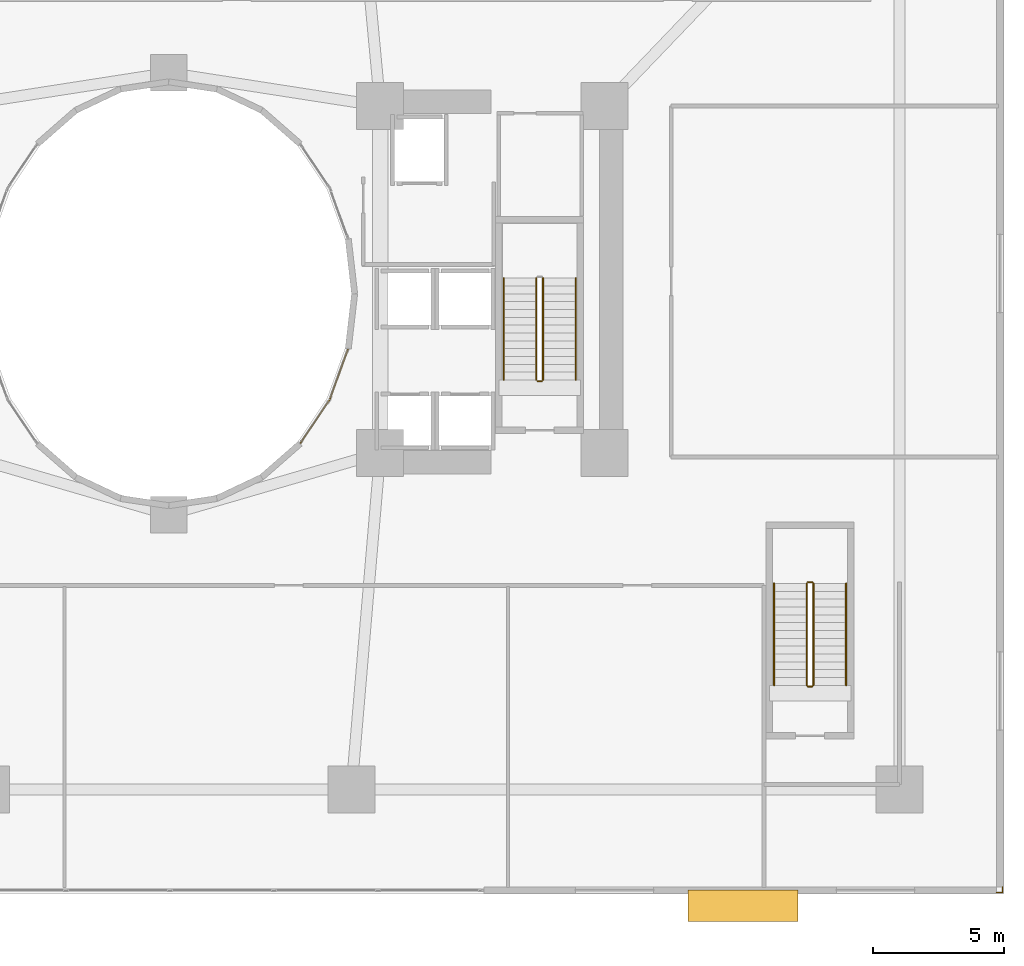
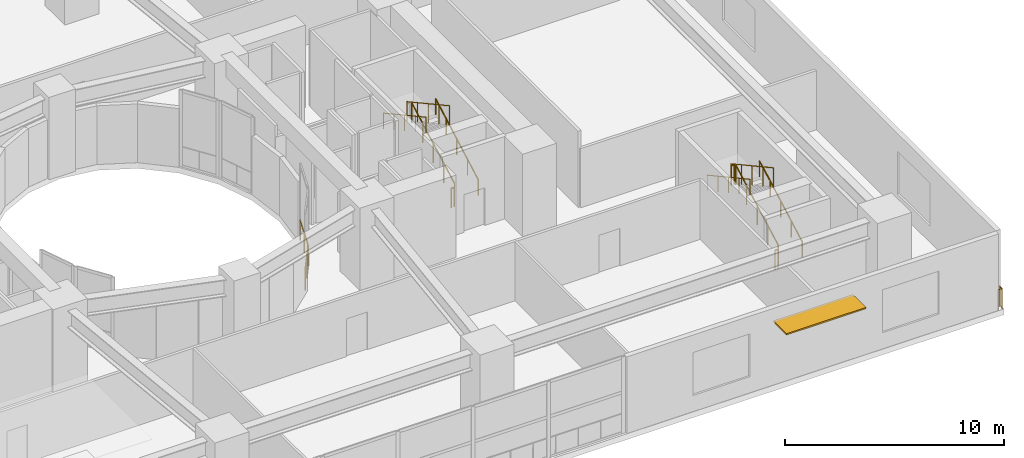
# One storey, part 22 of 25: 14 railings, 1 shading device.
"""IFC4 building model written with IfcOpenShell, lengths in metres."""

from ifc_helpers import new_model, si_unit, direction, frame, origin, origin_2d, place, context, subcontext, project, spatial, rectangle, circle, extrude, material, layer, layer_set, type_object, element, save


model = new_model("IFC4")

# Units and contexts
model_context = context("Model", 3, precision=1e-05, world=origin(), true_north=direction((0.0, 1.0)))
body_context = subcontext(model_context, "Body", "Model", "MODEL_VIEW")
ifc_project = project(units=[si_unit("LENGTHUNIT", "METRE"), si_unit("AREAUNIT", "SQUARE_METRE"), si_unit("VOLUMEUNIT", "CUBIC_METRE"), si_unit("PLANEANGLEUNIT", "RADIAN"), si_unit("MASSUNIT", "GRAM", prefix="KILO")], contexts=[model_context])

# Site, building, storey
site_placement = place(None, origin())
site = spatial("IfcSite", under=ifc_project, at=site_placement, CompositionType="ELEMENT")
building_placement = place(site_placement, origin())
building = spatial("IfcBuilding", under=site, at=building_placement, Name="Solvane Sanctuary Tower", CompositionType="ELEMENT")
storey_placement = place(building_placement, frame((0.0, 0.0, 13.800048828125)))
storey = spatial("IfcBuildingStorey", under=building, at=storey_placement, Name="L04", CompositionType="ELEMENT", Elevation=13.800048828125)

# Railings
ifc_material_1 = material(Name="Architectural Stainless Steel 316", Category="steel")
railing_type_1 = type_object("IfcRailingType", Name="Railing GR-BALC-1150", PredefinedType="BALUSTRADE", material=ifc_material_1)
railing_1_placement = place(storey_placement, frame((63.93994140625, 0.280029296875, 0.0)))
element("IfcRailing", 1, at=railing_1_placement, inside=storey, type_object=railing_type_1, Name="L04 Perimeter Slab Edge Guardrail 04", PredefinedType="BALUSTRADE", context=body_context, shape_type="SweptSolid", body=[
    extrude(circle(Radius=0.02392578125, at=origin_2d()), frame((0.0, 0.0, 1.1259765625), z_axis=(0.0, -1.0, 0.0), x_axis=(1.0, 0.0, 0.0)), (0.0, 0.0, 1.0), 0.219970703125),
    extrude(circle(Radius=0.02392578125, at=origin_2d()), frame((0.0, -0.219970703125, 1.1259765625), z_axis=(-1.0, 0.0, 0.0), x_axis=(0.0, -1.0, 0.0)), (0.0, 0.0, 1.0), 0.219970703125),
    extrude(circle(Radius=0.02099609375, at=origin_2d()), origin(), (0.0, 0.0, 1.0), 1.101806640625),
    extrude(circle(Radius=0.02099609375, at=origin_2d()), frame((0.0, -0.219970703125, 0.0)), (0.0, 0.0, 1.0), 1.101806640625),
    extrude(circle(Radius=0.02099609375, at=origin_2d()), frame((-0.219970703125, -0.219970703125, 0.0)), (0.0, 0.0, 1.0), 1.101806640625),
])
railing_2_placement = place(storey_placement, frame((46.340087890625, 19.699951171875, 0.164306640625)))
element("IfcRailing", 2, at=railing_2_placement, inside=storey, type_object=railing_type_1, Name="L04 ST-2 stair guard 1", PredefinedType="BALUSTRADE", context=body_context, shape_type="SweptSolid", body=[
    extrude(circle(Radius=0.02392578125, at=origin_2d()), frame((0.0, 0.0, 1.076171875), z_axis=(0.0, 0.877101224295, 0.480305571839), x_axis=(-1.0, 0.0, 0.0)), (0.0, 0.0, 1.0), 4.446533203125),
    extrude(circle(Radius=0.02099609375, at=origin_2d()), origin(), (0.0, 0.0, 1.0), 1.052001953125),
    extrude(circle(Radius=0.02099609375, at=origin_2d()), frame((0.0, 0.97509765625, 0.533935546875)), (0.0, 0.0, 1.0), 1.052001953125),
    extrude(circle(Radius=0.02099609375, at=origin_2d()), frame((0.0, 1.9501953125, 1.06787109375)), (0.0, 0.0, 1.0), 1.052001953125),
    extrude(circle(Radius=0.02099609375, at=origin_2d()), frame((0.0, 2.925048828125, 1.601806640625)), (0.0, 0.0, 1.0), 1.052001953125),
    extrude(circle(Radius=0.02099609375, at=origin_2d()), frame((0.0, 3.900146484375, 2.1357421875)), (0.0, 0.0, 1.0), 1.052001953125),
])
railing_3_placement = place(storey_placement, frame((46.080078125, 23.60009765625, 2.46435546875)))
element("IfcRailing", 3, at=railing_3_placement, inside=storey, type_object=railing_type_1, Name="L04 ST-2 stair guard 3", PredefinedType="BALUSTRADE", context=body_context, shape_type="SweptSolid", body=[
    extrude(circle(Radius=0.02392578125, at=origin_2d()), frame((0.0, 0.0, 1.076171875), z_axis=(0.0, -0.877124353918, 0.480263331688), x_axis=(1.0, 0.0, 0.0)), (0.0, 0.0, 1.0), 4.446533203125),
    extrude(circle(Radius=0.02099609375, at=origin_2d()), origin(), (0.0, 0.0, 1.0), 1.052001953125),
    extrude(circle(Radius=0.02099609375, at=origin_2d()), frame((0.0, -0.97509765625, 0.533935546875)), (0.0, 0.0, 1.0), 1.052001953125),
    extrude(circle(Radius=0.02099609375, at=origin_2d()), frame((0.0, -1.9501953125, 1.06787109375)), (0.0, 0.0, 1.0), 1.052001953125),
    extrude(circle(Radius=0.02099609375, at=origin_2d()), frame((0.0, -2.925048828125, 1.6015625)), (0.0, 0.0, 1.0), 1.052001953125),
    extrude(circle(Radius=0.02099609375, at=origin_2d()), frame((0.0, -3.900146484375, 2.135498046875)), (0.0, 0.0, 1.0), 1.052001953125),
])
railing_4_placement = place(storey_placement, frame((46.2900390625, 19.64990234375, 0.0)))
element("IfcRailing", 4, at=railing_4_placement, inside=storey, type_object=railing_type_1, Name="L04 ST-2 stair guard 4", PredefinedType="BALUSTRADE", context=body_context, shape_type="SweptSolid", body=[
    extrude(circle(Radius=0.02392578125, at=origin_2d()), frame((0.0, 0.0, 1.076171875), z_axis=(-1.0, 0.0, 0.0), x_axis=(0.0, -1.0, 0.0)), (0.0, 0.0, 1.0), 0.16015625),
    extrude(circle(Radius=0.02099609375, at=origin_2d()), origin(), (0.0, 0.0, 1.0), 1.052001953125),
    extrude(circle(Radius=0.02099609375, at=origin_2d()), frame((-0.16015625, 0.0, 0.0)), (0.0, 0.0, 1.0), 1.052001953125),
])
railing_5_placement = place(storey_placement, frame((56.699951171875, 8.0, 0.164306640625)))
element("IfcRailing", 5, at=railing_5_placement, inside=storey, type_object=railing_type_1, Name="L04 ST-5 stair guard 1", PredefinedType="BALUSTRADE", context=body_context, shape_type="SweptSolid", body=[
    extrude(circle(Radius=0.02392578125, at=origin_2d()), frame((0.0, 0.0, 1.076171875), z_axis=(0.0, 0.877088557246, 0.480328702816), x_axis=(-1.0, 0.0, 0.0)), (0.0, 0.0, 1.0), 4.446533203125),
    extrude(circle(Radius=0.02099609375, at=origin_2d()), origin(), (0.0, 0.0, 1.0), 1.052001953125),
    extrude(circle(Radius=0.02099609375, at=origin_2d()), frame((0.0, 0.97509765625, 0.533935546875)), (0.0, 0.0, 1.0), 1.052001953125),
    extrude(circle(Radius=0.02099609375, at=origin_2d()), frame((0.0, 1.949951171875, 1.06787109375)), (0.0, 0.0, 1.0), 1.052001953125),
    extrude(circle(Radius=0.02099609375, at=origin_2d()), frame((0.0, 2.9248046875, 1.601806640625)), (0.0, 0.0, 1.0), 1.052001953125),
    extrude(circle(Radius=0.02099609375, at=origin_2d()), frame((0.0, 3.89990234375, 2.1357421875)), (0.0, 0.0, 1.0), 1.052001953125),
])
railing_6_placement = place(storey_placement, frame((56.64990234375, 11.949951171875, 2.300048828125)))
element("IfcRailing", 6, at=railing_6_placement, inside=storey, type_object=railing_type_1, Name="L04 ST-5 stair guard 2", PredefinedType="BALUSTRADE", context=body_context, shape_type="SweptSolid", body=[
    extrude(circle(Radius=0.02392578125, at=origin_2d()), frame((0.0, 0.0, 1.076171875), z_axis=(-1.0, 0.0, 0.0), x_axis=(0.0, -1.0, 0.0)), (0.0, 0.0, 1.0), 0.159912109375),
    extrude(circle(Radius=0.02099609375, at=origin_2d()), origin(), (0.0, 0.0, 1.0), 1.052001953125),
    extrude(circle(Radius=0.02099609375, at=origin_2d()), frame((-0.159912109375, 0.0, 0.0)), (0.0, 0.0, 1.0), 1.052001953125),
])
railing_7_placement = place(storey_placement, frame((56.43994140625, 11.89990234375, 2.46435546875)))
element("IfcRailing", 7, at=railing_7_placement, inside=storey, type_object=railing_type_1, Name="L04 ST-5 stair guard 3", PredefinedType="BALUSTRADE", context=body_context, shape_type="SweptSolid", body=[
    extrude(circle(Radius=0.02392578125, at=origin_2d()), frame((0.0, 0.0, 1.076171875), z_axis=(0.0, -0.877111688762, 0.480286461851), x_axis=(1.0, 0.0, 0.0)), (0.0, 0.0, 1.0), 4.4462890625),
    extrude(circle(Radius=0.02099609375, at=origin_2d()), origin(), (0.0, 0.0, 1.0), 1.052001953125),
    extrude(circle(Radius=0.02099609375, at=origin_2d()), frame((0.0, -0.97509765625, 0.533935546875)), (0.0, 0.0, 1.0), 1.052001953125),
    extrude(circle(Radius=0.02099609375, at=origin_2d()), frame((0.0, -1.949951171875, 1.06787109375)), (0.0, 0.0, 1.0), 1.052001953125),
    extrude(circle(Radius=0.02099609375, at=origin_2d()), frame((0.0, -2.9248046875, 1.6015625)), (0.0, 0.0, 1.0), 1.052001953125),
    extrude(circle(Radius=0.02099609375, at=origin_2d()), frame((0.0, -3.89990234375, 2.135498046875)), (0.0, 0.0, 1.0), 1.052001953125),
])
railing_8_placement = place(storey_placement, frame((56.64990234375, 7.949951171875, 0.0)))
element("IfcRailing", 8, at=railing_8_placement, inside=storey, type_object=railing_type_1, Name="L04 ST-5 stair guard 4", PredefinedType="BALUSTRADE", context=body_context, shape_type="SweptSolid", body=[
    extrude(circle(Radius=0.02392578125, at=origin_2d()), frame((0.0, 0.0, 1.076171875), z_axis=(-1.0, 0.0, 0.0), x_axis=(0.0, -1.0, 0.0)), (0.0, 0.0, 1.0), 0.159912109375),
    extrude(circle(Radius=0.02099609375, at=origin_2d()), origin(), (0.0, 0.0, 1.0), 1.052001953125),
    extrude(circle(Radius=0.02099609375, at=origin_2d()), frame((-0.159912109375, 0.0, 0.0)), (0.0, 0.0, 1.0), 1.052001953125),
])
railing_type_2 = type_object("IfcRailingType", Name="Railing GR-WELL-1150", PredefinedType="GUARDRAIL", material=ifc_material_1)
railing_9_placement = place(storey_placement, frame((37.056884765625, 17.29150390625, 0.0)))
element("IfcRailing", 9, at=railing_9_placement, inside=storey, type_object=railing_type_2, Name="L04 Light-Well Sill Guard 21", PredefinedType="GUARDRAIL", context=body_context, shape_type="SweptSolid", body=[
    extrude(circle(Radius=0.02392578125, at=origin_2d()), frame((0.0, 0.0, 1.1259765625), z_axis=(0.558283423748, 0.829650299083, 0.0), x_axis=(-0.829650299083, 0.558283423748, 0.0)), (0.0, 0.0, 1.0), 1.94677734375),
    extrude(circle(Radius=0.02099609375, at=origin_2d()), origin(), (0.0, 0.0, 1.0), 1.101806640625),
    extrude(circle(Radius=0.02099609375, at=origin_2d()), frame((0.54345703125, 0.8076171875, 0.0)), (0.0, 0.0, 1.0), 1.101806640625),
    extrude(circle(Radius=0.02099609375, at=origin_2d()), frame((1.0869140625, 1.615234375, 0.0)), (0.0, 0.0, 1.0), 1.101806640625),
])
railing_10_placement = place(storey_placement, frame((38.1796875, 18.9775390625, 0.0)))
element("IfcRailing", 10, at=railing_10_placement, inside=storey, type_object=railing_type_2, Name="L04 Light-Well Sill Guard 22", PredefinedType="GUARDRAIL", context=body_context, shape_type="SweptSolid", body=[
    extrude(circle(Radius=0.02392578125, at=origin_2d()), frame((0.0, 0.0, 1.1259765625), z_axis=(0.341410413021, 0.9399143205, 0.0), x_axis=(-0.9399143205, 0.341410413021, 0.0)), (0.0, 0.0, 1.0), 2.003662109375),
    extrude(circle(Radius=0.02099609375, at=origin_2d()), origin(), (0.0, 0.0, 1.0), 1.101806640625),
    extrude(circle(Radius=0.02099609375, at=origin_2d()), frame((0.342041015625, 0.941650390625, 0.0)), (0.0, 0.0, 1.0), 1.101806640625),
    extrude(circle(Radius=0.02099609375, at=origin_2d()), frame((0.68408203125, 1.88330078125, 0.0)), (0.0, 0.0, 1.0), 1.101806640625),
])
railing_type_3 = type_object("IfcRailingType", Name="Railing HR-STAIR-920", PredefinedType="HANDRAIL", material=ifc_material_1)
railing_11_placement = place(storey_placement, frame((47.590087890625, 19.699951171875, 0.164306640625)))
element("IfcRailing", 11, at=railing_11_placement, inside=storey, type_object=railing_type_3, Name="L04 ST-2 stair handrail 1", PredefinedType="HANDRAIL", context=body_context, shape_type="SweptSolid", body=[
    extrude(circle(Radius=0.02392578125, at=origin_2d()), frame((0.0, 0.0, 0.8759765625), z_axis=(0.0, 0.877101224295, 0.480305571839), x_axis=(-1.0, 0.0, 0.0)), (0.0, 0.0, 1.0), 4.446533203125),
    extrude(circle(Radius=0.02099609375, at=origin_2d()), origin(), (0.0, 0.0, 1.0), 0.851806640625),
    extrude(circle(Radius=0.02099609375, at=origin_2d()), frame((0.0, 0.97509765625, 0.533935546875)), (0.0, 0.0, 1.0), 0.851806640625),
    extrude(circle(Radius=0.02099609375, at=origin_2d()), frame((0.0, 1.9501953125, 1.06787109375)), (0.0, 0.0, 1.0), 0.851806640625),
    extrude(circle(Radius=0.02099609375, at=origin_2d()), frame((0.0, 2.925048828125, 1.601806640625)), (0.0, 0.0, 1.0), 0.851806640625),
    extrude(circle(Radius=0.02099609375, at=origin_2d()), frame((0.0, 3.900146484375, 2.1357421875)), (0.0, 0.0, 1.0), 0.851806640625),
])
railing_12_placement = place(storey_placement, frame((44.830078125, 23.60009765625, 2.46435546875)))
element("IfcRailing", 12, at=railing_12_placement, inside=storey, type_object=railing_type_3, Name="L04 ST-2 stair handrail 2", PredefinedType="HANDRAIL", context=body_context, shape_type="SweptSolid", body=[
    extrude(circle(Radius=0.02392578125, at=origin_2d()), frame((0.0, 0.0, 0.8759765625), z_axis=(0.0, -0.877124353918, 0.480263331688), x_axis=(1.0, 0.0, 0.0)), (0.0, 0.0, 1.0), 4.446533203125),
    extrude(circle(Radius=0.02099609375, at=origin_2d()), origin(), (0.0, 0.0, 1.0), 0.851806640625),
    extrude(circle(Radius=0.02099609375, at=origin_2d()), frame((0.0, -0.97509765625, 0.533935546875)), (0.0, 0.0, 1.0), 0.851806640625),
    extrude(circle(Radius=0.02099609375, at=origin_2d()), frame((0.0, -1.9501953125, 1.06787109375)), (0.0, 0.0, 1.0), 0.851806640625),
    extrude(circle(Radius=0.02099609375, at=origin_2d()), frame((0.0, -2.925048828125, 1.6015625)), (0.0, 0.0, 1.0), 0.851806640625),
    extrude(circle(Radius=0.02099609375, at=origin_2d()), frame((0.0, -3.900146484375, 2.135498046875)), (0.0, 0.0, 1.0), 0.851806640625),
])
railing_13_placement = place(storey_placement, frame((57.949951171875, 8.0, 0.164306640625)))
element("IfcRailing", 13, at=railing_13_placement, inside=storey, type_object=railing_type_3, Name="L04 ST-5 stair handrail 1", PredefinedType="HANDRAIL", context=body_context, shape_type="SweptSolid", body=[
    extrude(circle(Radius=0.02392578125, at=origin_2d()), frame((0.0, 0.0, 0.8759765625), z_axis=(0.0, 0.877088557246, 0.480328702816), x_axis=(-1.0, 0.0, 0.0)), (0.0, 0.0, 1.0), 4.446533203125),
    extrude(circle(Radius=0.02099609375, at=origin_2d()), origin(), (0.0, 0.0, 1.0), 0.851806640625),
    extrude(circle(Radius=0.02099609375, at=origin_2d()), frame((0.0, 0.97509765625, 0.533935546875)), (0.0, 0.0, 1.0), 0.851806640625),
    extrude(circle(Radius=0.02099609375, at=origin_2d()), frame((0.0, 1.949951171875, 1.06787109375)), (0.0, 0.0, 1.0), 0.851806640625),
    extrude(circle(Radius=0.02099609375, at=origin_2d()), frame((0.0, 2.9248046875, 1.601806640625)), (0.0, 0.0, 1.0), 0.851806640625),
    extrude(circle(Radius=0.02099609375, at=origin_2d()), frame((0.0, 3.89990234375, 2.1357421875)), (0.0, 0.0, 1.0), 0.851806640625),
])
railing_14_placement = place(storey_placement, frame((55.18994140625, 11.89990234375, 2.46435546875)))
element("IfcRailing", 14, at=railing_14_placement, inside=storey, type_object=railing_type_3, Name="L04 ST-5 stair handrail 2", PredefinedType="HANDRAIL", context=body_context, shape_type="SweptSolid", body=[
    extrude(circle(Radius=0.02392578125, at=origin_2d()), frame((0.0, 0.0, 0.8759765625), z_axis=(0.0, -0.877111688762, 0.480286461851), x_axis=(1.0, 0.0, 0.0)), (0.0, 0.0, 1.0), 4.4462890625),
    extrude(circle(Radius=0.02099609375, at=origin_2d()), origin(), (0.0, 0.0, 1.0), 0.851806640625),
    extrude(circle(Radius=0.02099609375, at=origin_2d()), frame((0.0, -0.97509765625, 0.533935546875)), (0.0, 0.0, 1.0), 0.851806640625),
    extrude(circle(Radius=0.02099609375, at=origin_2d()), frame((0.0, -1.949951171875, 1.06787109375)), (0.0, 0.0, 1.0), 0.851806640625),
    extrude(circle(Radius=0.02099609375, at=origin_2d()), frame((0.0, -2.9248046875, 1.6015625)), (0.0, 0.0, 1.0), 0.851806640625),
    extrude(circle(Radius=0.02099609375, at=origin_2d()), frame((0.0, -3.89990234375, 2.135498046875)), (0.0, 0.0, 1.0), 0.851806640625),
])

# Shading device
ifc_material_2 = material(Name="Anodised Aluminium 6063-T6", Category="aluminium")
ifc_layer = layer(ifc_material_2, 0.080078125, Name="Anodised Aluminium 6063-T6")
ifc_layer_set = layer_set([ifc_layer], Name="Anodised Aluminium 6063-T6")
shading_device_type = type_object("IfcShadingDeviceType", Name="Shading SHD-SUNSHADE", PredefinedType="AWNING", material=ifc_layer_set)
shading_device_placement = place(storey_placement, frame((54.0, -0.449951171875, 3.409912109375), z_axis=(0.0, 0.0, 1.0), x_axis=(1.0, 0.0, 0.0)))
element("IfcShadingDevice", 15, at=shading_device_placement, inside=storey, type_object=shading_device_type, Name="L04 Tropical Sunshade Canopy S2", PredefinedType="AWNING", context=body_context, shape_type="SweptSolid", body=[
    extrude(rectangle(XDim=4.199951171875, YDim=1.199951171875, at=origin_2d()), origin(), (0.0, 0.0, 1.0), 0.080078125),
])

save(model, "model.ifc")
